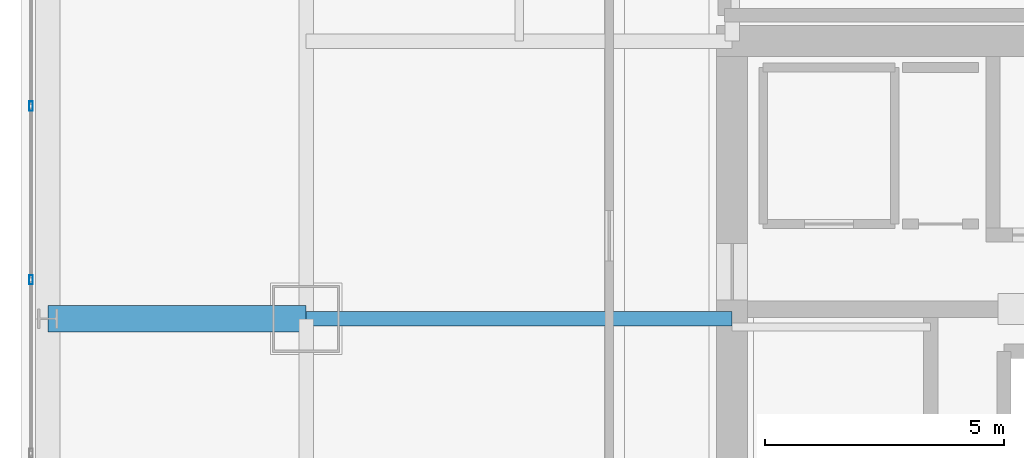
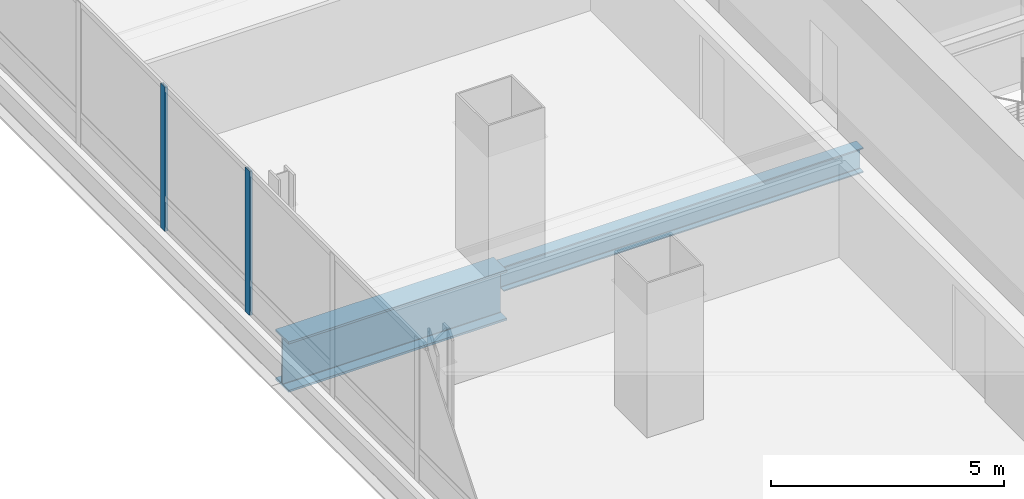
# One storey, part 11 of 47: 2 beams, 2 members, 1 element without a shape of its own.
"""IFC4 building model written with IfcOpenShell, lengths in metres."""

import ifcopenshell
import ifcopenshell.guid

model = None  # the IFC model being written
_history = None  # IfcOwnerHistory: only IFC2X3 demands one
_inside = {}  # id of a spatial element -> (the spatial element, [elements in it])
_under = {}  # id of a project, library or spatial element -> (it, [spatial elements below it])
_declared = {}  # id of a project -> (the project, [libraries it declares])
_typed = {}  # id of a type object -> (the type object, [elements of that type])
_made_of = {}  # id of a material, layer set ... -> (it, [elements and type objects made of it])


def new_model(schema):
    """Start an empty IFC model of exactly this schema.

    Asked for "IFC4X3", IfcOpenShell would pick the latest addendum, in which some entities
    have other attributes; the version numbers below select the first issue.
    IFC2X3 requires an IfcOwnerHistory on every rooted entity: one is made here for all.
    """
    global model, _history
    if schema == "IFC4X3":
        model = ifcopenshell.file(schema_version=(4, 3, 0, 0))
    else:
        model = ifcopenshell.file(schema=schema)
    _inside.clear()
    _under.clear()
    _declared.clear()
    _typed.clear()
    _made_of.clear()
    _history = None
    if model.schema == "IFC2X3":
        org = make("IfcOrganization", Name="unknown")
        user = make(
            "IfcPersonAndOrganization",
            ThePerson=make("IfcPerson", FamilyName="unknown"),
            TheOrganization=org,
        )
        app = make(
            "IfcApplication",
            ApplicationDeveloper=org,
            Version="unknown",
            ApplicationFullName="unknown",
            ApplicationIdentifier="unknown",
        )
        _history = make(
            "IfcOwnerHistory",
            OwningUser=user,
            OwningApplication=app,
            ChangeAction="ADDED",
            CreationDate=0,
        )
    return model


def make(cls, **values):
    """One entity of the class cls with the attributes given. An attribute that is None is left unset."""
    return model.create_entity(
        cls, **{name: value for name, value in values.items() if value is not None}
    )


def rooted(cls, **values):
    """An entity with a GlobalId (a new one), such as an element, a storey or a relation."""
    return make(cls, GlobalId=ifcopenshell.guid.new(), OwnerHistory=_history, **values)


def si_unit(unit_type, name, prefix=None):
    """IfcSIUnit, for example si_unit("LENGTHUNIT", "METRE", prefix="MILLI")."""
    return make("IfcSIUnit", UnitType=unit_type, Prefix=prefix, Name=name)


def assignment(units):
    """IfcUnitAssignment: the units of a project."""
    return None if units is None else make("IfcUnitAssignment", Units=units)


def point(xyz):
    """IfcCartesianPoint."""
    return None if xyz is None else make("IfcCartesianPoint", Coordinates=xyz)


def direction(xyz):
    """IfcDirection."""
    return None if xyz is None else make("IfcDirection", DirectionRatios=xyz)


def frame(location, z_axis=None, x_axis=None):
    """IfcAxis2Placement3D, a coordinate frame: its origin and axes. An axis left out is left unset."""
    return make(
        "IfcAxis2Placement3D",
        Location=point(location),
        Axis=direction(z_axis),
        RefDirection=direction(x_axis),
    )


def frame_2d(location, x_axis=None):
    """IfcAxis2Placement2D, a coordinate frame in the plane: its origin and x axis."""
    return make(
        "IfcAxis2Placement2D", Location=point(location), RefDirection=direction(x_axis)
    )


def origin():
    """The frame at (0, 0, 0) with its axes left unset."""
    return frame((0.0, 0.0, 0.0))


def origin_2d():
    """The frame at (0, 0) in the plane with its x axis left unset."""
    return frame_2d((0.0, 0.0))


def place(relative_to, where):
    """IfcLocalPlacement: puts the frame where relative to a parent placement (None: the world)."""
    return make(
        "IfcLocalPlacement", PlacementRelTo=relative_to, RelativePlacement=where
    )


def context(
    kind, dimensions, precision=None, world=None, true_north=None, identifier=None
):
    """IfcGeometricRepresentationContext, for example the 3D "Model" context."""
    return make(
        "IfcGeometricRepresentationContext",
        ContextIdentifier=identifier,
        ContextType=kind,
        CoordinateSpaceDimension=dimensions,
        Precision=precision,
        WorldCoordinateSystem=world,
        TrueNorth=true_north,
    )


def subcontext(parent, identifier, kind, view, scale=None):
    """IfcGeometricRepresentationSubContext, for example "Body" below "Model"."""
    return make(
        "IfcGeometricRepresentationSubContext",
        ContextIdentifier=identifier,
        ContextType=kind,
        ParentContext=parent,
        TargetScale=scale,
        TargetView=view,
    )


def project(units=None, contexts=None):
    """IfcProject with its units and contexts."""
    return rooted(
        "IfcProject",
        Name="project",
        RepresentationContexts=contexts,
        UnitsInContext=assignment(units),
    )


def spatial(cls, under=None, at=None, **own):
    """A site, building, storey or space (cls), placed at a placement, below another one or the project."""
    s = rooted(cls, ObjectPlacement=at, **own)
    if under is not None:
        _under.setdefault(under.id(), (under, []))[1].append(s)
    return s


def profile(cls, at=None, kind="AREA", **sizes):
    """A parametric profile (cls). Its sizes go by their IFC names, for example OverallWidth=200.0."""
    return make(cls, ProfileType=kind, Position=at, **sizes)


def hollow_rectangle(**sizes):
    """IfcRectangleHollowProfileDef."""
    return profile("IfcRectangleHollowProfileDef", **sizes)


def i_section(**sizes):
    """IfcIShapeProfileDef."""
    return profile("IfcIShapeProfileDef", **sizes)


def extrude(swept, where, along, depth):
    """IfcExtrudedAreaSolid: the profile swept, set in the frame where, extruded along a direction by depth."""
    return make(
        "IfcExtrudedAreaSolid",
        SweptArea=swept,
        Position=where,
        ExtrudedDirection=direction(along),
        Depth=depth,
    )


def shape(context_of_items, identifier, shape_type, items):
    """IfcShapeRepresentation: the items that make up one representation, for example the "Body"."""
    return make(
        "IfcShapeRepresentation",
        ContextOfItems=context_of_items,
        RepresentationIdentifier=identifier,
        RepresentationType=shape_type,
        Items=items,
    )


def material(Name=None, Category=None):
    """IfcMaterial."""
    return make("IfcMaterial", Name=Name, Category=Category)


def material_profile(
    of_material, cross_section, Name=None, Category=None, Priority=None
):
    """IfcMaterialProfile: a cross section and its material."""
    return make(
        "IfcMaterialProfile",
        Name=Name,
        Material=of_material,
        Profile=cross_section,
        Priority=Priority,
        Category=Category,
    )


def profile_set(profiles, Name=None, composite=None):
    """IfcMaterialProfileSet."""
    return make(
        "IfcMaterialProfileSet",
        Name=Name,
        MaterialProfiles=profiles,
        CompositeProfile=composite,
    )


def made_of(thing, what):
    """Note that an element or type object is made of a material, layer set ...; save() writes the relation."""
    if what is not None:
        _made_of.setdefault(what.id(), (what, []))[1].append(thing)
    return thing


def type_object(cls, material=None, **own):
    """A type object (cls), such as IfcWallType, which elements share."""
    return made_of(rooted(cls, **own), material)


def element(
    cls,
    number,
    at=None,
    inside=None,
    cuts=None,
    type_object=None,
    material=None,
    context=None,
    identifier="Body",
    shape_type=None,
    held_by="IfcProductDefinitionShape",
    body=None,
    shapes=None,
    **own,
):
    """One element of the class cls, such as IfcWall. Its Tag is "e" and its number.

    at: its placement. inside: the storey or other place that contains it. cuts: it is an
    opening in that element (IfcRelVoidsElement). A single representation is given by context,
    identifier, shape_type and body (its items); several are given by shapes. held_by: the class
    of the entity that holds the representations. save() writes the other relations.
    """
    e = rooted(cls, Tag="e%d" % number, ObjectPlacement=at, **own)
    if body is not None:
        shapes = [shape(context, identifier, shape_type, body)]
    if shapes is not None:
        e.Representation = make(held_by, Representations=shapes)
    if inside is not None:
        _inside.setdefault(inside.id(), (inside, []))[1].append(e)
    if cuts is not None:
        rooted(
            "IfcRelVoidsElement", RelatingBuildingElement=cuts, RelatedOpeningElement=e
        )
    if type_object is not None:
        _typed.setdefault(type_object.id(), (type_object, []))[1].append(e)
    return made_of(e, material)


def aggregate(whole, parts):
    """IfcRelAggregates: a whole, such as a stair, and the parts it consists of."""
    return rooted("IfcRelAggregates", RelatingObject=whole, RelatedObjects=parts)


def save(model, path):
    """Write the relations noted so far, then the file.

    IfcRelAggregates (storeys below a building ...), IfcRelContainedInSpatialStructure (elements
    in a storey), IfcRelDefinesByType, IfcRelAssociatesMaterial and IfcRelDeclares: one each for
    every whole, place, type object, material and project.
    """
    for whole, parts in _under.values():
        aggregate(whole, parts)
    for where, things in _inside.values():
        rooted(
            "IfcRelContainedInSpatialStructure",
            RelatedElements=things,
            RelatingStructure=where,
        )
    for kind, things in _typed.values():
        rooted("IfcRelDefinesByType", RelatedObjects=things, RelatingType=kind)
    for what, things in _made_of.values():
        rooted("IfcRelAssociatesMaterial", RelatedObjects=things, RelatingMaterial=what)
    for by, libraries in _declared.values():
        rooted("IfcRelDeclares", RelatingContext=by, RelatedDefinitions=libraries)
    model.write(path)


model = new_model("IFC4")

# Units and contexts
model_context = context("Model", 3, precision=1e-05, world=origin(), true_north=direction((0.0, 1.0)))
body_context = subcontext(model_context, "Body", "Model", "MODEL_VIEW")
ifc_project = project(units=[si_unit("LENGTHUNIT", "METRE"), si_unit("AREAUNIT", "SQUARE_METRE"), si_unit("VOLUMEUNIT", "CUBIC_METRE"), si_unit("PLANEANGLEUNIT", "RADIAN"), si_unit("MASSUNIT", "GRAM", prefix="KILO")], contexts=[model_context])

# Site, building, storey
site_placement = place(None, origin())
site = spatial("IfcSite", under=ifc_project, at=site_placement, CompositionType="ELEMENT")
building_placement = place(site_placement, origin())
building = spatial("IfcBuilding", under=site, at=building_placement, Name="Punatoya Terracotta Tower", CompositionType="ELEMENT")
storey_placement = place(building_placement, frame((0.0, 0.0, 168.14990234375)))
storey = spatial("IfcBuildingStorey", under=building, at=storey_placement, Name="L39", CompositionType="ELEMENT", Elevation=168.14990234375)

# Beams
ifc_material_1 = material(Name="Steel S355", Category="steel")
ifc_material_profile_1 = material_profile(ifc_material_1, i_section(OverallWidth=0.300048828125, OverallDepth=0.64990234375, WebThickness=0.01611328125, FlangeThickness=0.031005859375, FilletRadius=0.01806640625, at=origin_2d()))
ifc_profile_set_1 = profile_set([ifc_material_profile_1], Name="Steel S355")
beam_type_1 = type_object("IfcBeamType", Name="BM-PRI-650", PredefinedType="BEAM", material=ifc_profile_set_1)
beam_1_placement = place(storey_placement, frame((-19.10009765625, 3.39990234375, -0.544921875), z_axis=(1.0, 0.0, 0.0), x_axis=(0.0, 1.0, 0.0)))
element("IfcBeam", 1, at=beam_1_placement, inside=storey, type_object=beam_type_1, Name="BM-L39-PR-WE", PredefinedType="BEAM", context=body_context, shape_type="SweptSolid", body=[
    extrude(i_section(OverallWidth=0.300048828125, OverallDepth=0.64990234375, WebThickness=0.01611328125, FlangeThickness=0.031005859375, FilletRadius=0.01806640625, at=origin_2d()), origin(), (0.0, 0.0, 1.0), 8.900146484375),
])
ifc_material_2 = material(Name="Steel S460", Category="steel")
ifc_material_profile_2 = material_profile(ifc_material_2, i_section(OverallWidth=0.56005859375, OverallDepth=1.320068359375, WebThickness=0.035888671875, FlangeThickness=0.054931640625, FilletRadius=0.01806640625, at=origin_2d()))
ifc_profile_set_2 = profile_set([ifc_material_profile_2], Name="Steel S460")
beam_type_2 = type_object("IfcBeamType", Name="BM-TG-BLK", PredefinedType="BEAM", material=ifc_profile_set_2)
beam_2_placement = place(storey_placement, frame((-24.5, 3.39990234375, -0.8798828125), z_axis=(1.0, 0.0, 0.0), x_axis=(0.0, 1.0, 0.0)))
element("IfcBeam", 2, at=beam_2_placement, inside=storey, type_object=beam_type_2, Name="BM-L39-CANT-W3", PredefinedType="BEAM", context=body_context, shape_type="SweptSolid", body=[
    extrude(i_section(OverallWidth=0.56005859375, OverallDepth=1.320068359375, WebThickness=0.035888671875, FlangeThickness=0.054931640625, FilletRadius=0.01806640625, at=origin_2d()), origin(), (0.0, 0.0, 1.0), 5.39990234375),
])

# Curtain wall, members
ifc_material_3 = material(Name="Aluminium 6063-T6 + Double Low-E Glass", Category="aluminium")
curtain_wall_type = type_object("IfcCurtainWallType", Name="CW-M2", PredefinedType="NOTDEFINED", material=ifc_material_3)
curtain_wall_placement = place(storey_placement, origin())
curtain_wall = element("IfcCurtainWall", 3, at=curtain_wall_placement, inside=storey, type_object=curtain_wall_type, Name="L39 Curtain Wall CW-L39-W13-1", PredefinedType="NOTDEFINED")
ifc_material_4 = material(Name="Aluminium 6063-T6", Category="aluminium")
ifc_material_profile_3 = material_profile(ifc_material_4, hollow_rectangle(XDim=0.072021484375, YDim=0.195068359375, WallThickness=0.00439453125, at=origin_2d()))
ifc_profile_set_3 = profile_set([ifc_material_profile_3], Name="Aluminium 6063-T6")
member_type = type_object("IfcMemberType", Name="CW-MUL-M2", PredefinedType="MULLION", material=ifc_profile_set_3)
member_1_placement = place(storey_placement, frame((-24.85009765625, 7.843017578125, 0.0), z_axis=(0.0, 0.0, 1.0), x_axis=(1.0, 0.0, 0.0)))
member_1 = element("IfcMember", 4, at=member_1_placement, type_object=member_type, Name="CW-L39-W13-1 Mullion 02", PredefinedType="MULLION", context=body_context, shape_type="SweptSolid", body=[
    extrude(hollow_rectangle(XDim=0.072021484375, YDim=0.195068359375, WallThickness=0.00439453125, at=origin_2d()), origin(), (0.0, 0.0, 1.0), 3.77001953125),
])
member_2_placement = place(storey_placement, frame((-24.85009765625, 4.21435546875, 0.0), z_axis=(0.0, 0.0, 1.0), x_axis=(1.0, 0.0, 0.0)))
member_2 = element("IfcMember", 5, at=member_2_placement, type_object=member_type, Name="CW-L39-W13-1 Mullion 03", PredefinedType="MULLION", context=body_context, shape_type="SweptSolid", body=[
    extrude(hollow_rectangle(XDim=0.072021484375, YDim=0.195068359375, WallThickness=0.00439453125, at=origin_2d()), origin(), (0.0, 0.0, 1.0), 3.77001953125),
])
aggregate(curtain_wall, [member_1, member_2])

save(model, "model.ifc")
